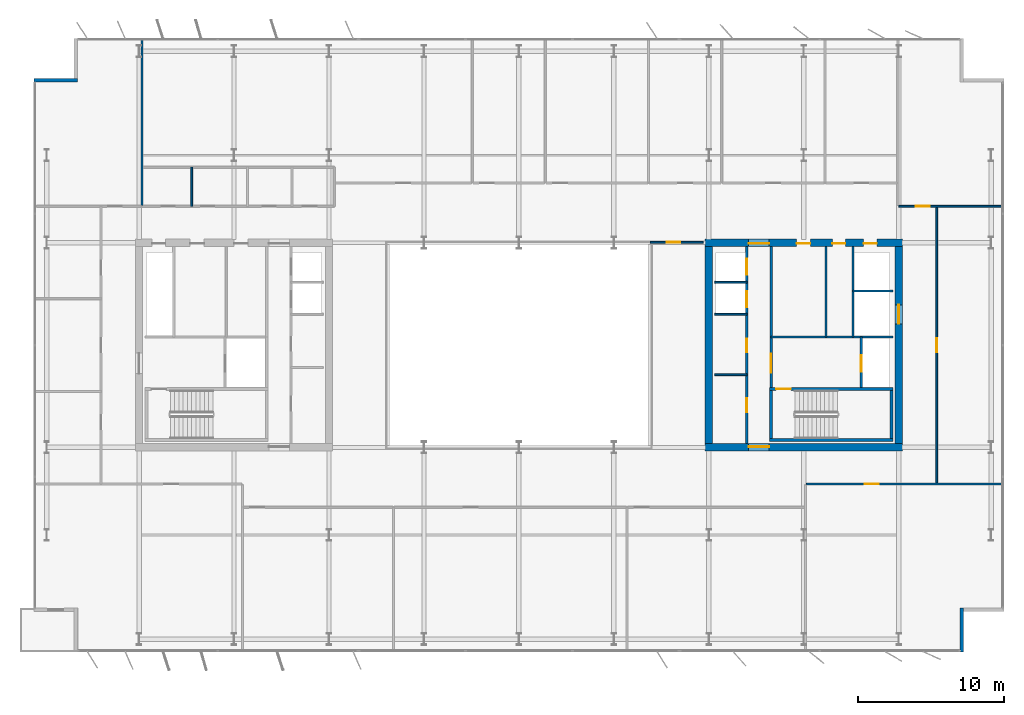
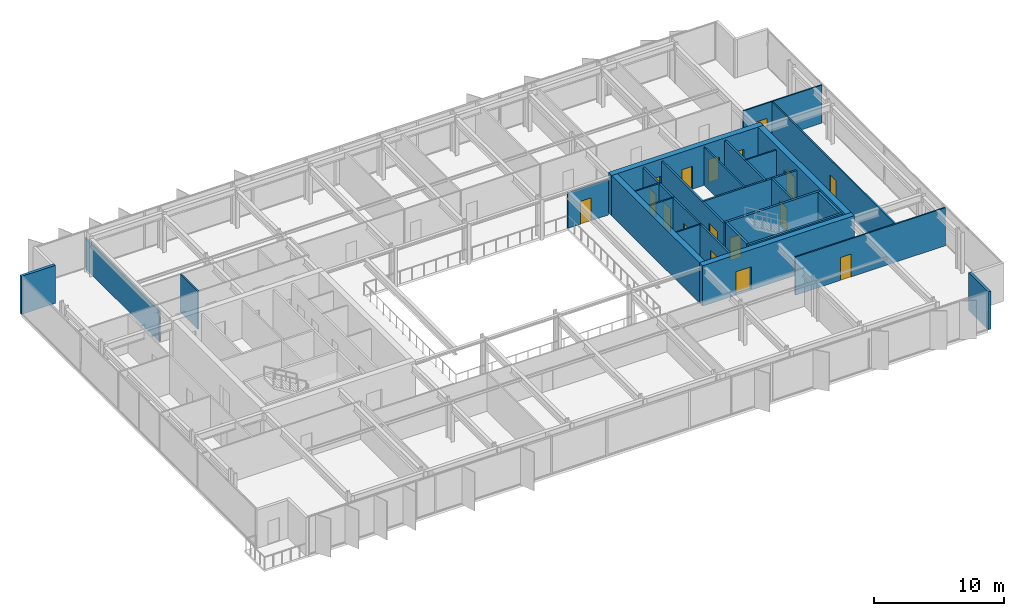
# One storey, part 18 of 23: 26 walls, 17 doors, 17 openings.
"""IFC4 building model written with IfcOpenShell, lengths in metres."""

from ifc_helpers import new_model, si_unit, direction, frame, frame_2d, origin, place, context, subcontext, project, spatial, rectangle, extrude, material, layer, layer_set, type_object, element, fill, save


model = new_model("IFC4")

# Units and contexts
model_context = context("Model", 3, precision=1e-05, world=origin(), true_north=direction((0.0, 1.0)))
body_context = subcontext(model_context, "Body", "Model", "MODEL_VIEW")
ifc_project = project(units=[si_unit("LENGTHUNIT", "METRE"), si_unit("AREAUNIT", "SQUARE_METRE"), si_unit("VOLUMEUNIT", "CUBIC_METRE"), si_unit("PLANEANGLEUNIT", "RADIAN"), si_unit("MASSUNIT", "GRAM", prefix="KILO")], contexts=[model_context])

# Site, building, storey
site_placement = place(None, origin())
site = spatial("IfcSite", under=ifc_project, at=site_placement, CompositionType="ELEMENT")
building_placement = place(site_placement, origin())
building = spatial("IfcBuilding", under=site, at=building_placement, Name="Putna Gate Headquarters", CompositionType="ELEMENT")
storey_placement = place(building_placement, frame((0.0, 0.0, 225.199951171875)))
storey = spatial("IfcBuildingStorey", under=building, at=storey_placement, Name="L56", CompositionType="ELEMENT", Elevation=225.199951171875)

# Wall, opening, door
ifc_material_1 = material(Name="Concrete C50/60", Category="concrete")
ifc_layer_1 = layer(ifc_material_1, 0.5)
ifc_layer_set_1 = layer_set([ifc_layer_1], Name="Concrete C50/60")
wall_type_1 = type_object("IfcWallType", Name="WALL-CORE-500", PredefinedType="SHEAR", material=ifc_layer_set_1)
wall_1_placement = place(storey_placement, frame((51.75, 19.0, 0.0), z_axis=(0.0, 0.0, 1.0), x_axis=(1.0, 0.0, 0.0)))
wall_1 = element("IfcWall", 1, at=wall_1_placement, inside=storey, type_object=wall_type_1, Name="L56 EC Split Core Shear Wall S", PredefinedType="SHEAR", context=body_context, shape_type="SweptSolid", body=[
    extrude(rectangle(XDim=13.5, YDim=0.5, at=frame_2d((6.75, 0.0))), origin(), (0.0, 0.0, 1.0), 3.800048828125),
])
opening_1_placement = place(wall_1_placement, frame((2.969970703125, 0.0, 0.0)))
opening_1 = element("IfcOpeningElement", 2, at=opening_1_placement, cuts=wall_1, Name="Opening FDD-140", PredefinedType="OPENING", context=body_context, shape_type="SweptSolid", body=[
    extrude(rectangle(XDim=1.39990234375, YDim=2.199951171875, at=frame_2d((0.699951171875, 1.10009765625))), frame((0.0, 0.260009765625, 0.0), z_axis=(0.0, -1.0, 0.0), x_axis=(1.0, 0.0, 0.0)), (0.0, 0.0, 1.0), 0.52001953125),
])
ifc_material_2 = material(Name="Double steel fire door", Category="steel")
door_type_1 = type_object("IfcDoorType", Name="DOOR-FIRE-DBL-1400", OperationType="DOUBLE_DOOR_SINGLE_SWING", PredefinedType="DOOR", material=ifc_material_2)
door_1_placement = place(opening_1_placement, origin())
door_1 = element("IfcDoor", 3, at=door_1_placement, inside=storey, type_object=door_type_1, Name="L56 East Lift Lobby South Door", OperationType="DOUBLE_DOOR_SINGLE_SWING", OverallHeight=2.199951171875, OverallWidth=1.39990234375, PredefinedType="DOOR", context=body_context, shape_type="SweptSolid", body=[
    extrude(rectangle(XDim=1.39990234375, YDim=2.199951171875, at=frame_2d((0.699951171875, 1.10009765625))), frame((0.0, 0.0751953125, 0.0), z_axis=(0.0, -1.0, 0.0), x_axis=(1.0, 0.0, 0.0)), (0.0, 0.0, 1.0), 0.050048828125),
])
fill(opening_1, door_1)

# Wall, openings, doors
wall_2_placement = place(storey_placement, frame((51.75, 33.0, 0.0), z_axis=(0.0, 0.0, 1.0), x_axis=(1.0, 0.0, 0.0)))
wall_2 = element("IfcWall", 4, at=wall_2_placement, inside=storey, type_object=wall_type_1, Name="L56 EC Split Core Shear Wall N", PredefinedType="SHEAR", context=body_context, shape_type="SweptSolid", body=[
    extrude(rectangle(XDim=13.5, YDim=0.5, at=frame_2d((6.75, 0.0))), origin(), (0.0, 0.0, 1.0), 3.800048828125),
])
opening_2_placement = place(wall_2_placement, frame((2.969970703125, 0.0, 0.0)))
opening_2 = element("IfcOpeningElement", 5, at=opening_2_placement, cuts=wall_2, Name="Opening FDD-140", PredefinedType="OPENING", context=body_context, shape_type="SweptSolid", body=[
    extrude(rectangle(XDim=1.39990234375, YDim=2.199951171875, at=frame_2d((0.699951171875, 1.10009765625))), frame((0.0, 0.260009765625, 0.0), z_axis=(0.0, -1.0, 0.0), x_axis=(1.0, 0.0, 0.0)), (0.0, 0.0, 1.0), 0.52001953125),
])
opening_3_placement = place(wall_2_placement, frame((10.85009765625, 0.0, 0.0)))
opening_3 = element("IfcOpeningElement", 6, at=opening_3_placement, cuts=wall_2, Name="Opening RD-90", PredefinedType="OPENING", context=body_context, shape_type="SweptSolid", body=[
    extrude(rectangle(XDim=0.89990234375, YDim=2.14990234375, at=frame_2d((0.449951171875, 1.074951171875))), frame((0.0, 0.260009765625, 0.0), z_axis=(0.0, -1.0, 0.0), x_axis=(1.0, 0.0, 0.0)), (0.0, 0.0, 1.0), 0.52001953125),
])
opening_4_placement = place(wall_2_placement, frame((6.25, 0.0, 0.0)))
opening_4 = element("IfcOpeningElement", 7, at=opening_4_placement, cuts=wall_2, Name="Opening IDS-95", PredefinedType="OPENING", context=body_context, shape_type="SweptSolid", body=[
    extrude(rectangle(XDim=0.949951171875, YDim=2.14990234375, at=frame_2d((0.47509765625, 1.074951171875))), frame((0.0, 0.260009765625, 0.0), z_axis=(0.0, -1.0, 0.0), x_axis=(1.0, 0.0, 0.0)), (0.0, 0.0, 1.0), 0.52001953125),
])
opening_5_placement = place(wall_2_placement, frame((8.699951171875, 0.0, 0.0)))
opening_5 = element("IfcOpeningElement", 8, at=opening_5_placement, cuts=wall_2, Name="Opening IDS-90", PredefinedType="OPENING", context=body_context, shape_type="SweptSolid", body=[
    extrude(rectangle(XDim=0.89990234375, YDim=2.14990234375, at=frame_2d((0.449951171875, 1.074951171875))), frame((0.0, 0.260009765625, 0.0), z_axis=(0.0, -1.0, 0.0), x_axis=(1.0, 0.0, 0.0)), (0.0, 0.0, 1.0), 0.52001953125),
])
door_2_placement = place(opening_2_placement, origin())
door_2 = element("IfcDoor", 9, at=door_2_placement, inside=storey, type_object=door_type_1, Name="L56 East Lift Lobby North Door", OperationType="DOUBLE_DOOR_SINGLE_SWING", OverallHeight=2.199951171875, OverallWidth=1.39990234375, PredefinedType="DOOR", context=body_context, shape_type="SweptSolid", body=[
    extrude(rectangle(XDim=1.39990234375, YDim=2.199951171875, at=frame_2d((0.699951171875, 1.10009765625))), frame((0.0, -0.02490234375, 0.0), z_axis=(0.0, -1.0, 0.0), x_axis=(1.0, 0.0, 0.0)), (0.0, 0.0, 1.0), 0.050048828125),
])
fill(opening_2, door_2)
ifc_material_3 = material(Name="Fire-rated utility door")
door_type_2 = type_object("IfcDoorType", Name="DOOR-INT-900", OperationType="NOTDEFINED", PredefinedType="DOOR", material=ifc_material_3)
door_3_placement = place(opening_5_placement, origin())
door_3 = element("IfcDoor", 10, at=door_3_placement, inside=storey, type_object=door_type_2, Name="L56 Electrical Plant Door", OperationType="SINGLE_SWING_LEFT", OverallHeight=2.14990234375, OverallWidth=0.89990234375, PredefinedType="DOOR", context=body_context, shape_type="SweptSolid", body=[
    extrude(rectangle(XDim=0.89990234375, YDim=2.14990234375, at=frame_2d((0.449951171875, 1.074951171875))), frame((0.0, -0.02490234375, 0.0), z_axis=(0.0, -1.0, 0.0), x_axis=(1.0, 0.0, 0.0)), (0.0, 0.0, 1.0), 0.050048828125),
])
fill(opening_5, door_3)
ifc_material_4 = material(Name="Fire-rated service timber door", Category="wood")
door_type_3 = type_object("IfcDoorType", Name="DOOR-INT-950", OperationType="NOTDEFINED", PredefinedType="DOOR", material=ifc_material_4)
door_4_placement = place(opening_4_placement, origin())
door_4 = element("IfcDoor", 11, at=door_4_placement, inside=storey, type_object=door_type_3, Name="L56 East Store Door", OperationType="SINGLE_SWING_RIGHT", OverallHeight=2.14990234375, OverallWidth=0.949951171875, PredefinedType="DOOR", context=body_context, shape_type="SweptSolid", body=[
    extrude(rectangle(XDim=0.949951171875, YDim=2.14990234375, at=frame_2d((0.47509765625, 1.074951171875))), frame((0.0, -0.02490234375, 0.0), z_axis=(0.0, -1.0, 0.0), x_axis=(1.0, 0.0, 0.0)), (0.0, 0.0, 1.0), 0.050048828125),
])
fill(opening_4, door_4)
ifc_material_5 = material(Name="Steel riser access fire door", Category="steel")
door_type_4 = type_object("IfcDoorType", Name="DOOR-RISER-900", OperationType="NOTDEFINED", PredefinedType="DOOR", material=ifc_material_5)
door_5_placement = place(opening_3_placement, origin())
door_5 = element("IfcDoor", 12, at=door_5_placement, inside=storey, type_object=door_type_4, Name="L56 East Riser Access Door", OperationType="SINGLE_SWING_LEFT", OverallHeight=2.14990234375, OverallWidth=0.89990234375, PredefinedType="DOOR", context=body_context, shape_type="SweptSolid", body=[
    extrude(rectangle(XDim=0.89990234375, YDim=2.14990234375, at=frame_2d((0.449951171875, 1.074951171875))), frame((0.0, -0.02490234375, 0.0), z_axis=(0.0, -1.0, 0.0), x_axis=(1.0, 0.0, 0.0)), (0.0, 0.0, 1.0), 0.050048828125),
])
fill(opening_3, door_5)

# Wall
wall_3_placement = place(storey_placement, frame((52.0, 19.25, 0.0), z_axis=(0.0, 0.0, 1.0), x_axis=(0.0, 1.0, 0.0)))
element("IfcWall", 13, at=wall_3_placement, inside=storey, type_object=wall_type_1, Name="L56 EC Split Core Shear Wall W", PredefinedType="SHEAR", context=body_context, shape_type="SweptSolid", body=[
    extrude(rectangle(XDim=13.5, YDim=0.5, at=frame_2d((6.75, 0.0))), origin(), (0.0, 0.0, 1.0), 3.800048828125),
])

# Wall, opening, door
wall_4_placement = place(storey_placement, frame((65.0, 19.25, 0.0), z_axis=(0.0, 0.0, 1.0), x_axis=(0.0, 1.0, 0.0)))
wall_4 = element("IfcWall", 14, at=wall_4_placement, inside=storey, type_object=wall_type_1, Name="L56 EC Split Core Shear Wall E", PredefinedType="SHEAR", context=body_context, shape_type="SweptSolid", body=[
    extrude(rectangle(XDim=13.5, YDim=0.5, at=frame_2d((6.75, 0.0))), origin(), (0.0, 0.0, 1.0), 3.800048828125),
])
opening_6_placement = place(wall_4_placement, frame((8.199951171875, 0.0, 0.0)))
opening_6 = element("IfcOpeningElement", 15, at=opening_6_placement, cuts=wall_4, Name="Opening LD-2", PredefinedType="OPENING", context=body_context, shape_type="SweptSolid", body=[
    extrude(rectangle(XDim=1.300048828125, YDim=2.199951171875, at=frame_2d((0.64990234375, 1.10009765625))), frame((0.0, 0.260009765625, 0.0), z_axis=(0.0, -1.0, 0.0), x_axis=(1.0, 0.0, 0.0)), (0.0, 0.0, 1.0), 0.52001953125),
])
ifc_material_6 = material(Name="Heavy-duty goods lift sliding landing door")
door_type_5 = type_object("IfcDoorType", Name="DOOR-LIFT-1300", OperationType="DOUBLE_DOOR_SLIDING", PredefinedType="DOOR", material=ifc_material_6)
door_6_placement = place(opening_6_placement, origin())
door_6 = element("IfcDoor", 16, at=door_6_placement, inside=storey, type_object=door_type_5, Name="L56 Goods Lift Landing Door LD-15", OperationType="DOUBLE_DOOR_SLIDING", OverallHeight=2.199951171875, OverallWidth=1.300048828125, PredefinedType="DOOR", context=body_context, shape_type="SweptSolid", body=[
    extrude(rectangle(XDim=1.300048828125, YDim=2.199951171875, at=frame_2d((0.64990234375, 1.10009765625))), frame((0.0, 0.02490234375, 0.0), z_axis=(0.0, -1.0, 0.0), x_axis=(1.0, 0.0, 0.0)), (0.0, 0.0, 1.0), 0.050048828125),
])
fill(opening_6, door_6)

# Walls
ifc_material_7 = material(Name="Precast concrete C40/50", Category="concrete")
ifc_layer_2 = layer(ifc_material_7, 0.239990234375)
ifc_layer_set_2 = layer_set([ifc_layer_2], Name="Precast concrete C40/50")
wall_type_2 = type_object("IfcWallType", Name="WALL-EXT-TERR-240", PredefinedType="STANDARD", material=ifc_layer_set_2)
for number, where, z_axis, x_axis, name in (
    (17, (5.800048828125, 44.1201171875, 0.0), (0.0, 0.0, 1.0), (1.0, 0.0, 0.0), "L56 Corner Notch Return Wall NW-H"),
    (18, (69.320068359375, 8.0, 0.0), (0.0, 0.0, 1.0), (0.0, -1.0, 0.0), "L56 Corner Notch Return Wall SE-V"),
):
    element("IfcWall", number, at=place(storey_placement, frame(where, z_axis=z_axis, x_axis=x_axis)), inside=storey, type_object=wall_type_2, Name=name, PredefinedType="STANDARD", context=body_context, shape_type="SweptSolid", body=[
        extrude(rectangle(XDim=3.0, YDim=0.239990234375, at=frame_2d((1.5, 0.0))), origin(), (0.0, 0.0, 1.0), 3.580078125),
    ])

# Wall, opening, door
ifc_material_8 = material(Name="Acoustic gypsum board on metal stud")
ifc_layer_3 = layer(ifc_material_8, 0.1201171875)
ifc_layer_set_3 = layer_set([ifc_layer_3], Name="Acoustic gypsum board on metal stud")
wall_type_3 = type_object("IfcWallType", Name="WALL-PART-120", PredefinedType="PARTITIONING", material=ifc_layer_set_3)
wall_5_placement = place(storey_placement, frame((48.0, 33.0400390625, 0.0), z_axis=(0.0, 0.0, 1.0), x_axis=(1.0, 0.0, 0.0)))
wall_5 = element("IfcWall", 19, at=wall_5_placement, inside=storey, type_object=wall_type_3, Name="L56 Interior Wall PART-L56-ATR-E-N", PredefinedType="PARTITIONING", context=body_context, shape_type="SweptSolid", body=[
    extrude(rectangle(XDim=3.60009765625, YDim=0.1201171875, at=frame_2d((1.800048828125, 0.0))), origin(), (0.0, 0.0, 1.0), 3.320068359375),
])
opening_7_placement = place(wall_5_placement, frame((1.10009765625, 0.0, 0.0)))
opening_7 = element("IfcOpeningElement", 20, at=opening_7_placement, cuts=wall_5, Name="Opening ID-95", PredefinedType="OPENING", context=body_context, shape_type="SweptSolid", body=[
    extrude(rectangle(XDim=0.949951171875, YDim=2.14990234375, at=frame_2d((0.47509765625, 1.074951171875))), frame((0.0, 0.070068359375, 0.0), z_axis=(0.0, -1.0, 0.0), x_axis=(1.0, 0.0, 0.0)), (0.0, 0.0, 1.0), 0.14013671875),
])
ifc_material_9 = material(Name="Veneered acoustic timber door", Category="wood")
door_type_6 = type_object("IfcDoorType", Name="DOOR-OFF-950", OperationType="NOTDEFINED", PredefinedType="DOOR", material=ifc_material_9)
door_7_placement = place(opening_7_placement, origin())
door_7 = element("IfcDoor", 21, at=door_7_placement, inside=storey, type_object=door_type_6, Name="L56 East Sky Atrium Lounge Door", OperationType="SINGLE_SWING_LEFT", OverallHeight=2.14990234375, OverallWidth=0.949951171875, PredefinedType="DOOR", context=body_context, shape_type="SweptSolid", body=[
    extrude(rectangle(XDim=0.949951171875, YDim=2.14990234375, at=frame_2d((0.47509765625, 1.074951171875))), frame((0.0, 0.02490234375, 0.0), z_axis=(0.0, -1.0, 0.0), x_axis=(1.0, 0.0, 0.0)), (0.0, 0.0, 1.0), 0.050048828125),
])
fill(opening_7, door_7)

# Walls
wall_6_placement = place(storey_placement, frame((13.199951171875, 35.56005859375, 0.0), z_axis=(0.0, 0.0, 1.0), x_axis=(0.0, 1.0, 0.0)))
element("IfcWall", 22, at=wall_6_placement, inside=storey, type_object=wall_type_3, Name="L56 Interior Wall PART-L56-NB-DIV-01", PredefinedType="PARTITIONING", context=body_context, shape_type="SweptSolid", body=[
    extrude(rectangle(XDim=11.419921875, YDim=0.1201171875, at=frame_2d((5.7099609375, 0.0))), origin(), (0.0, 0.0, 1.0), 2.880126953125),
])
ifc_material_10 = material(Name="Fire-rated shaftwall gypsum board on metal stud")
ifc_layer_4 = layer(ifc_material_10, 0.1201171875)
ifc_layer_set_4 = layer_set([ifc_layer_4], Name="Fire-rated shaftwall gypsum board on metal stud")
wall_type_4 = type_object("IfcWallType", Name="WALL-PART-120-EI120", PredefinedType="PARTITIONING", material=ifc_layer_set_4)
wall_7_placement = place(storey_placement, frame((52.39990234375, 30.31005859375, 0.0), z_axis=(0.0, 0.0, 1.0), x_axis=(1.0, 0.0, 0.0)))
element("IfcWall", 23, at=wall_7_placement, inside=storey, type_object=wall_type_4, Name="L56 Interior Wall CWINT-L56-EC-LF11-DIV", PredefinedType="PARTITIONING", context=body_context, shape_type="SweptSolid", body=[
    extrude(rectangle(XDim=2.2001953125, YDim=0.1201171875, at=frame_2d((1.10009765625, 0.0))), origin(), (0.0, 0.0, 1.0), 3.580078125),
])
wall_8_placement = place(storey_placement, frame((61.8701171875, 29.699951171875, 0.0), z_axis=(0.0, 0.0, 1.0), x_axis=(1.0, 0.0, 0.0)))
element("IfcWall", 24, at=wall_8_placement, inside=storey, type_object=wall_type_4, Name="L56 Interior Wall CWINT-L56-EC-LF15-N", PredefinedType="PARTITIONING", context=body_context, shape_type="SweptSolid", body=[
    extrude(rectangle(XDim=2.72998046875, YDim=0.1201171875, at=frame_2d((1.364990234375, 0.0))), origin(), (0.0, 0.0, 1.0), 3.580078125),
])
ifc_material_11 = material(Name="Fire-rated gypsum board on metal stud")
ifc_layer_5 = layer(ifc_material_11, 0.1201171875)
ifc_layer_set_5 = layer_set([ifc_layer_5], Name="Fire-rated gypsum board on metal stud")
wall_type_5 = type_object("IfcWallType", Name="WALL-PART-120-RATED", PredefinedType="PARTITIONING", material=ifc_layer_set_5)
for number, where, z_axis, x_axis, name in (
    (25, (52.39990234375, 23.969970703125, 0.0), (0.0, 0.0, 1.0), (1.0, 0.0, 0.0), "L56 Interior Wall CWINT-L56-EC-REUSE-DIV"),
    (26, (52.39990234375, 28.1201171875, 0.0), (0.0, 0.0, 1.0), (1.0, 0.0, 0.0), "L56 Interior Wall CWINT-L56-EC-LF08-DIV"),
):
    element("IfcWall", number, at=place(storey_placement, frame(where, z_axis=z_axis, x_axis=x_axis)), inside=storey, type_object=wall_type_5, Name=name, PredefinedType="PARTITIONING", context=body_context, shape_type="SweptSolid", body=[
        extrude(rectangle(XDim=2.2001953125, YDim=0.1201171875, at=frame_2d((1.10009765625, 0.0))), origin(), (0.0, 0.0, 1.0), 3.580078125),
    ])
wall_9_placement = place(storey_placement, frame((60.02001953125, 26.56005859375, 0.0), z_axis=(0.0, 0.0, 1.0), x_axis=(0.0, 1.0, 0.0)))
element("IfcWall", 27, at=wall_9_placement, inside=storey, type_object=wall_type_5, Name="L56 Interior Wall CWINT-L56-EC-K0-DIV", PredefinedType="PARTITIONING", context=body_context, shape_type="SweptSolid", body=[
    extrude(rectangle(XDim=6.18994140625, YDim=0.1201171875, at=frame_2d((3.094970703125, 0.0))), origin(), (0.0, 0.0, 1.0), 3.580078125),
])
wall_10_placement = place(storey_placement, frame((16.60009765625, 35.5, 0.0), z_axis=(0.0, 0.0, 1.0), x_axis=(0.0, 1.0, 0.0)))
element("IfcWall", 28, at=wall_10_placement, inside=storey, type_object=wall_type_5, Name="L56 Interior Wall PART-L56-SAN-DIV-1", PredefinedType="PARTITIONING", context=body_context, shape_type="SweptSolid", body=[
    extrude(rectangle(XDim=2.679931640625, YDim=0.1201171875, at=frame_2d((1.33984375, 0.0))), origin(), (0.0, 0.0, 1.0), 3.580078125),
])

# Wall, opening, door
wall_11_placement = place(storey_placement, frame((65.0126953125, 35.5, 0.0), z_axis=(0.0, 0.0, 1.0), x_axis=(1.0, 0.0, 0.0)))
wall_11 = element("IfcWall", 29, at=wall_11_placement, inside=storey, type_object=wall_type_5, Name="L56 Interior Wall PART-L56-NB-CW-08", PredefinedType="PARTITIONING", context=body_context, shape_type="SweptSolid", body=[
    extrude(rectangle(XDim=7.00732421875, YDim=0.1201171875, at=frame_2d((3.503662109375, 0.0))), origin(), (0.0, 0.0, 1.0), 3.580078125),
])
opening_8_placement = place(wall_11_placement, frame((1.1572265625, 0.0, 0.0)))
opening_8 = element("IfcOpeningElement", 30, at=opening_8_placement, cuts=wall_11, Name="Opening FD-95", PredefinedType="OPENING", context=body_context, shape_type="SweptSolid", body=[
    extrude(rectangle(XDim=0.949951171875, YDim=2.14990234375, at=frame_2d((0.47509765625, 1.074951171875))), frame((0.0, 0.070068359375, 0.0), z_axis=(0.0, -1.0, 0.0), x_axis=(1.0, 0.0, 0.0)), (0.0, 0.0, 1.0), 0.14013671875),
])
ifc_material_12 = material(Name="Acoustic timber fire door", Category="wood")
door_type_7 = type_object("IfcDoorType", Name="DOOR-FIRE-950", OperationType="NOTDEFINED", PredefinedType="DOOR", material=ifc_material_12)
door_8_placement = place(opening_8_placement, origin())
door_8 = element("IfcDoor", 31, at=door_8_placement, inside=storey, type_object=door_type_7, Name="L56 Cellular Office 5 Door", OperationType="SINGLE_SWING_LEFT", OverallHeight=2.14990234375, OverallWidth=0.949951171875, PredefinedType="DOOR", context=body_context, shape_type="SweptSolid", body=[
    extrude(rectangle(XDim=0.949951171875, YDim=2.14990234375, at=frame_2d((0.47509765625, 1.074951171875))), frame((0.0, 0.02490234375, 0.0), z_axis=(0.0, -1.0, 0.0), x_axis=(1.0, 0.0, 0.0)), (0.0, 0.0, 1.0), 0.050048828125),
])
fill(opening_8, door_8)

wall_12_placement = place(storey_placement, frame((58.673828125, 16.5, 0.0), z_axis=(0.0, 0.0, 1.0), x_axis=(1.0, 0.0, 0.0)))
wall_12 = element("IfcWall", 32, at=wall_12_placement, inside=storey, type_object=wall_type_5, Name="L56 Interior Wall PART-L56-SB-CW-05", PredefinedType="PARTITIONING", context=body_context, shape_type="SweptSolid", body=[
    extrude(rectangle(XDim=13.34619140625, YDim=0.1201171875, at=frame_2d((6.673095703125, 0.0))), origin(), (0.0, 0.0, 1.0), 3.580078125),
])
opening_9_placement = place(wall_12_placement, frame((3.988037109375, 0.0, 0.0)))
opening_9 = element("IfcOpeningElement", 33, at=opening_9_placement, cuts=wall_12, Name="Opening FD-95", PredefinedType="OPENING", context=body_context, shape_type="SweptSolid", body=[
    extrude(rectangle(XDim=0.949951171875, YDim=2.14990234375, at=frame_2d((0.47509765625, 1.074951171875))), frame((0.0, 0.070068359375, 0.0), z_axis=(0.0, -1.0, 0.0), x_axis=(1.0, 0.0, 0.0)), (0.0, 0.0, 1.0), 0.14013671875),
])
door_9_placement = place(opening_9_placement, origin())
door_9 = element("IfcDoor", 34, at=door_9_placement, inside=storey, type_object=door_type_7, Name="L56 Conference Meeting Room 2 Door", OperationType="SINGLE_SWING_RIGHT", OverallHeight=2.14990234375, OverallWidth=0.949951171875, PredefinedType="DOOR", context=body_context, shape_type="SweptSolid", body=[
    extrude(rectangle(XDim=0.949951171875, YDim=2.14990234375, at=frame_2d((0.47509765625, 1.074951171875))), frame((0.0, 0.02490234375, 0.0), z_axis=(0.0, -1.0, 0.0), x_axis=(1.0, 0.0, 0.0)), (0.0, 0.0, 1.0), 0.050048828125),
])
fill(opening_9, door_9)

wall_13_placement = place(storey_placement, frame((67.60009765625, 16.5, 0.0), z_axis=(0.0, 0.0, 1.0), x_axis=(0.0, 1.0, 0.0)))
wall_13 = element("IfcWall", 35, at=wall_13_placement, inside=storey, type_object=wall_type_5, Name="L56 Interior Wall PART-L56-EW-CW-1", PredefinedType="PARTITIONING", context=body_context, shape_type="SweptSolid", body=[
    extrude(rectangle(XDim=19.0, YDim=0.1201171875, at=frame_2d((9.5, 0.0))), origin(), (0.0, 0.0, 1.0), 3.580078125),
])
opening_10_placement = place(wall_13_placement, frame((9.02490234375, 0.0, 0.0)))
opening_10 = element("IfcOpeningElement", 36, at=opening_10_placement, cuts=wall_13, Name="Opening FD-95", PredefinedType="OPENING", context=body_context, shape_type="SweptSolid", body=[
    extrude(rectangle(XDim=0.949951171875, YDim=2.14990234375, at=frame_2d((0.47509765625, 1.074951171875))), frame((0.0, 0.070068359375, 0.0), z_axis=(0.0, -1.0, 0.0), x_axis=(1.0, 0.0, 0.0)), (0.0, 0.0, 1.0), 0.14013671875),
])
door_10_placement = place(opening_10_placement, origin())
door_10 = element("IfcDoor", 37, at=door_10_placement, inside=storey, type_object=door_type_7, Name="L56 East Advisory Office 1 Door", OperationType="SINGLE_SWING_RIGHT", OverallHeight=2.14990234375, OverallWidth=0.949951171875, PredefinedType="DOOR", context=body_context, shape_type="SweptSolid", body=[
    extrude(rectangle(XDim=0.949951171875, YDim=2.14990234375, at=frame_2d((0.47509765625, 1.074951171875))), frame((0.0, 0.02490234375, 0.0), z_axis=(0.0, -1.0, 0.0), x_axis=(1.0, 0.0, 0.0)), (0.0, 0.0, 1.0), 0.050048828125),
])
fill(opening_10, door_10)

# Wall, openings, doors
ifc_material_13 = material(Name="Concrete C40/50", Category="concrete")
ifc_layer_6 = layer(ifc_material_13, 0.159912109375)
ifc_layer_set_6 = layer_set([ifc_layer_6], Name="Concrete C40/50")
wall_type_6 = type_object("IfcWallType", Name="WALL-SHAFT-160", PredefinedType="STANDARD", material=ifc_layer_set_6)
wall_14_placement = place(storey_placement, frame((54.60009765625, 19.25, 0.0), z_axis=(0.0, 0.0, 1.0), x_axis=(0.0, 1.0, 0.0)))
wall_14 = element("IfcWall", 38, at=wall_14_placement, inside=storey, type_object=wall_type_6, Name="L56 Interior Wall CWINT-L56-EC-PL-WALL", PredefinedType="STANDARD", context=body_context, shape_type="SweptSolid", body=[
    extrude(rectangle(XDim=13.5, YDim=0.159912109375, at=frame_2d((6.75, 0.0))), origin(), (0.0, 0.0, 1.0), 3.580078125),
])
opening_11_placement = place(wall_14_placement, frame((2.14990234375, 0.0, 0.0)))
opening_11 = element("IfcOpeningElement", 39, at=opening_11_placement, cuts=wall_14, Name="Opening IDS-95", PredefinedType="OPENING", context=body_context, shape_type="SweptSolid", body=[
    extrude(rectangle(XDim=0.949951171875, YDim=2.14990234375, at=frame_2d((0.47509765625, 1.074951171875))), frame((0.0, 0.08984375, 0.0), z_axis=(0.0, -1.0, 0.0), x_axis=(1.0, 0.0, 0.0)), (0.0, 0.0, 1.0), 0.179931640625),
])
opening_12_placement = place(wall_14_placement, frame((6.25, 0.0, 0.0)))
opening_12 = element("IfcOpeningElement", 40, at=opening_12_placement, cuts=wall_14, Name="Opening IDS-95", PredefinedType="OPENING", context=body_context, shape_type="SweptSolid", body=[
    extrude(rectangle(XDim=0.949951171875, YDim=2.14990234375, at=frame_2d((0.47509765625, 1.074951171875))), frame((0.0, 0.08984375, 0.0), z_axis=(0.0, -1.0, 0.0), x_axis=(1.0, 0.0, 0.0)), (0.0, 0.0, 1.0), 0.179931640625),
])
opening_13_placement = place(wall_14_placement, frame((9.35009765625, 0.0, 0.0)))
opening_13 = element("IfcOpeningElement", 41, at=opening_13_placement, cuts=wall_14, Name="Opening LD-1", PredefinedType="OPENING", context=body_context, shape_type="SweptSolid", body=[
    extrude(rectangle(XDim=1.10009765625, YDim=2.199951171875, at=frame_2d((0.550048828125, 1.10009765625))), frame((0.0, 0.08984375, 0.0), z_axis=(0.0, -1.0, 0.0), x_axis=(1.0, 0.0, 0.0)), (0.0, 0.0, 1.0), 0.179931640625),
])
opening_14_placement = place(wall_14_placement, frame((11.550048828125, 0.0, 0.0)))
opening_14 = element("IfcOpeningElement", 42, at=opening_14_placement, cuts=wall_14, Name="Opening LD-1", PredefinedType="OPENING", context=body_context, shape_type="SweptSolid", body=[
    extrude(rectangle(XDim=1.10009765625, YDim=2.199951171875, at=frame_2d((0.550048828125, 1.10009765625))), frame((0.0, 0.08984375, 0.0), z_axis=(0.0, -1.0, 0.0), x_axis=(1.0, 0.0, 0.0)), (0.0, 0.0, 1.0), 0.179931640625),
])
door_11_placement = place(opening_11_placement, origin())
door_11 = element("IfcDoor", 43, at=door_11_placement, inside=storey, type_object=door_type_3, Name="L56 Executive Archive Door", OperationType="SINGLE_SWING_RIGHT", OverallHeight=2.14990234375, OverallWidth=0.949951171875, PredefinedType="DOOR", context=body_context, shape_type="SweptSolid", body=[
    extrude(rectangle(XDim=0.949951171875, YDim=2.14990234375, at=frame_2d((0.47509765625, 1.074951171875))), frame((0.0, 0.02490234375, 0.0), z_axis=(0.0, -1.0, 0.0), x_axis=(1.0, 0.0, 0.0)), (0.0, 0.0, 1.0), 0.050048828125),
])
fill(opening_11, door_11)
door_12_placement = place(opening_12_placement, origin())
door_12 = element("IfcDoor", 44, at=door_12_placement, inside=storey, type_object=door_type_3, Name="L56 Comms Distribution Door", OperationType="SINGLE_SWING_LEFT", OverallHeight=2.14990234375, OverallWidth=0.949951171875, PredefinedType="DOOR", context=body_context, shape_type="SweptSolid", body=[
    extrude(rectangle(XDim=0.949951171875, YDim=2.14990234375, at=frame_2d((0.47509765625, 1.074951171875))), frame((0.0, 0.02490234375, 0.0), z_axis=(0.0, -1.0, 0.0), x_axis=(1.0, 0.0, 0.0)), (0.0, 0.0, 1.0), 0.050048828125),
])
fill(opening_12, door_12)
ifc_material_14 = material(Name="Brushed bronze stainless lift landing door")
door_type_8 = type_object("IfcDoorType", Name="DOOR-LIFT-1100", OperationType="DOUBLE_DOOR_SLIDING", PredefinedType="DOOR", material=ifc_material_14)
door_13_placement = place(opening_13_placement, origin())
door_13 = element("IfcDoor", 45, at=door_13_placement, inside=storey, type_object=door_type_8, Name="L56 Lift Landing Door LD-11", OperationType="DOUBLE_DOOR_SLIDING", OverallHeight=2.199951171875, OverallWidth=1.10009765625, PredefinedType="DOOR", context=body_context, shape_type="SweptSolid", body=[
    extrude(rectangle(XDim=1.10009765625, YDim=2.199951171875, at=frame_2d((0.550048828125, 1.10009765625))), frame((0.0, 0.02490234375, 0.0), z_axis=(0.0, -1.0, 0.0), x_axis=(1.0, 0.0, 0.0)), (0.0, 0.0, 1.0), 0.050048828125),
])
fill(opening_13, door_13)
door_14_placement = place(opening_14_placement, origin())
door_14 = element("IfcDoor", 46, at=door_14_placement, inside=storey, type_object=door_type_8, Name="L56 Lift Landing Door LD-12", OperationType="DOUBLE_DOOR_SLIDING", OverallHeight=2.199951171875, OverallWidth=1.10009765625, PredefinedType="DOOR", context=body_context, shape_type="SweptSolid", body=[
    extrude(rectangle(XDim=1.10009765625, YDim=2.199951171875, at=frame_2d((0.550048828125, 1.10009765625))), frame((0.0, 0.02490234375, 0.0), z_axis=(0.0, -1.0, 0.0), x_axis=(1.0, 0.0, 0.0)), (0.0, 0.0, 1.0), 0.050048828125),
])
fill(opening_14, door_14)

# Wall, opening, door
wall_15_placement = place(storey_placement, frame((56.260009765625, 23.090087890625, 0.0), z_axis=(0.0, 0.0, 1.0), x_axis=(0.0, 1.0, 0.0)))
wall_15 = element("IfcWall", 47, at=wall_15_placement, inside=storey, type_object=wall_type_6, Name="L56 Interior Wall CWINT-L56-EC-LOB-E", PredefinedType="STANDARD", context=body_context, shape_type="SweptSolid", body=[
    extrude(rectangle(XDim=9.659912109375, YDim=0.159912109375, at=frame_2d((4.830078125, 0.0))), origin(), (0.0, 0.0, 1.0), 3.580078125),
])
opening_15_placement = place(wall_15_placement, frame((1.010009765625, 0.0, 0.0)))
opening_15 = element("IfcOpeningElement", 48, at=opening_15_placement, cuts=wall_15, Name="Opening FDD-130", PredefinedType="OPENING", context=body_context, shape_type="SweptSolid", body=[
    extrude(rectangle(XDim=1.300048828125, YDim=2.199951171875, at=frame_2d((0.64990234375, 1.10009765625))), frame((0.0, 0.08984375, 0.0), z_axis=(0.0, -1.0, 0.0), x_axis=(1.0, 0.0, 0.0)), (0.0, 0.0, 1.0), 0.179931640625),
])
ifc_material_15 = material(Name="Double steel lobby fire door", Category="steel")
door_type_9 = type_object("IfcDoorType", Name="DOOR-FIRE-DBL-1300", OperationType="DOUBLE_DOOR_SINGLE_SWING", PredefinedType="DOOR", material=ifc_material_15)
door_15_placement = place(opening_15_placement, origin())
door_15 = element("IfcDoor", 49, at=door_15_placement, inside=storey, type_object=door_type_9, Name="L56 East Firefighting Lobby Door", OperationType="DOUBLE_DOOR_SINGLE_SWING", OverallHeight=2.199951171875, OverallWidth=1.300048828125, PredefinedType="DOOR", context=body_context, shape_type="SweptSolid", body=[
    extrude(rectangle(XDim=1.300048828125, YDim=2.199951171875, at=frame_2d((0.64990234375, 1.10009765625))), frame((0.0, 0.02490234375, 0.0), z_axis=(0.0, -1.0, 0.0), x_axis=(1.0, 0.0, 0.0)), (0.0, 0.0, 1.0), 0.050048828125),
])
fill(opening_15, door_15)

wall_16_placement = place(storey_placement, frame((62.429931640625, 23.090087890625, 0.0), z_axis=(0.0, 0.0, 1.0), x_axis=(0.0, 1.0, 0.0)))
wall_16 = element("IfcWall", 50, at=wall_16_placement, inside=storey, type_object=wall_type_6, Name="L56 Interior Wall CWINT-L56-EC-LF14-W", PredefinedType="STANDARD", context=body_context, shape_type="SweptSolid", body=[
    extrude(rectangle(XDim=3.469970703125, YDim=0.159912109375, at=frame_2d((1.73486328125, 0.0))), origin(), (0.0, 0.0, 1.0), 3.580078125),
])
opening_16_placement = place(wall_16_placement, frame((1.10009765625, 0.0, 0.0)))
opening_16 = element("IfcOpeningElement", 51, at=opening_16_placement, cuts=wall_16, Name="Opening LD-1", PredefinedType="OPENING", context=body_context, shape_type="SweptSolid", body=[
    extrude(rectangle(XDim=1.10009765625, YDim=2.199951171875, at=frame_2d((0.550048828125, 1.10009765625))), frame((0.0, 0.08984375, 0.0), z_axis=(0.0, -1.0, 0.0), x_axis=(1.0, 0.0, 0.0)), (0.0, 0.0, 1.0), 0.179931640625),
])
door_16_placement = place(opening_16_placement, origin())
door_16 = element("IfcDoor", 52, at=door_16_placement, inside=storey, type_object=door_type_8, Name="L56 Lift Landing Door LD-14", OperationType="DOUBLE_DOOR_SLIDING", OverallHeight=2.199951171875, OverallWidth=1.10009765625, PredefinedType="DOOR", context=body_context, shape_type="SweptSolid", body=[
    extrude(rectangle(XDim=1.10009765625, YDim=2.199951171875, at=frame_2d((0.550048828125, 1.10009765625))), frame((0.0, 0.02490234375, 0.0), z_axis=(0.0, -1.0, 0.0), x_axis=(1.0, 0.0, 0.0)), (0.0, 0.0, 1.0), 0.050048828125),
])
fill(opening_16, door_16)

# Walls
wall_17_placement = place(storey_placement, frame((56.260009765625, 26.56005859375, 0.0), z_axis=(0.0, 0.0, 1.0), x_axis=(1.0, 0.0, 0.0)))
element("IfcWall", 53, at=wall_17_placement, inside=storey, type_object=wall_type_6, Name="L56 Interior Wall CWINT-L56-EC-FFL-N", PredefinedType="STANDARD", context=body_context, shape_type="SweptSolid", body=[
    extrude(rectangle(XDim=8.340087890625, YDim=0.159912109375, at=frame_2d((4.169921875, 0.0))), origin(), (0.0, 0.0, 1.0), 3.580078125),
])
wall_18_placement = place(storey_placement, frame((61.8701171875, 26.56005859375, 0.0), z_axis=(0.0, 0.0, 1.0), x_axis=(0.0, 1.0, 0.0)))
element("IfcWall", 54, at=wall_18_placement, inside=storey, type_object=wall_type_6, Name="L56 Interior Wall CWINT-L56-EC-LF15-W", PredefinedType="STANDARD", context=body_context, shape_type="SweptSolid", body=[
    extrude(rectangle(XDim=6.18994140625, YDim=0.159912109375, at=frame_2d((3.094970703125, 0.0))), origin(), (0.0, 0.0, 1.0), 3.580078125),
])
ifc_layer_7 = layer(ifc_material_13, 0.199951171875)
ifc_layer_set_7 = layer_set([ifc_layer_7], Name="Concrete C40/50")
wall_type_7 = type_object("IfcWallType", Name="WALL-SHAFT-RC200", PredefinedType="SHEAR", material=ifc_layer_set_7)
wall_19_placement = place(storey_placement, frame((56.159912109375, 19.510009765625, 0.0), z_axis=(0.0, 0.0, 1.0), x_axis=(1.0, 0.0, 0.0)))
element("IfcWall", 55, at=wall_19_placement, inside=storey, type_object=wall_type_7, Name="L56 Stair ST2 Structural Shaft Wall S", PredefinedType="SHEAR", context=body_context, shape_type="SweptSolid", body=[
    extrude(rectangle(XDim=8.43017578125, YDim=0.199951171875, at=frame_2d((4.215087890625, 0.0))), origin(), (0.0, 0.0, 1.0), 3.800048828125),
])

# Wall, opening, door
wall_20_placement = place(storey_placement, frame((56.159912109375, 22.989990234375, 0.0), z_axis=(0.0, 0.0, 1.0), x_axis=(1.0, 0.0, 0.0)))
wall_20 = element("IfcWall", 56, at=wall_20_placement, inside=storey, type_object=wall_type_7, Name="L56 Stair ST2 Structural Shaft Wall N", PredefinedType="SHEAR", context=body_context, shape_type="SweptSolid", body=[
    extrude(rectangle(XDim=8.43017578125, YDim=0.199951171875, at=frame_2d((4.215087890625, 0.0))), origin(), (0.0, 0.0, 1.0), 3.800048828125),
])
opening_17_placement = place(wall_20_placement, frame((0.449951171875, 0.0, 0.0)))
opening_17 = element("IfcOpeningElement", 57, at=opening_17_placement, cuts=wall_20, Name="Opening FD-100", PredefinedType="OPENING", context=body_context, shape_type="SweptSolid", body=[
    extrude(rectangle(XDim=1.0, YDim=2.14990234375, at=frame_2d((0.5, 1.074951171875))), frame((0.0, 0.10986328125, 0.0), z_axis=(0.0, -1.0, 0.0), x_axis=(1.0, 0.0, 0.0)), (0.0, 0.0, 1.0), 0.219970703125),
])
ifc_material_16 = material(Name="Powder-coated steel fire door", Category="steel")
door_type_10 = type_object("IfcDoorType", Name="DOOR-FIRE-1000", OperationType="NOTDEFINED", PredefinedType="DOOR", material=ifc_material_16)
door_17_placement = place(opening_17_placement, origin())
door_17 = element("IfcDoor", 58, at=door_17_placement, inside=storey, type_object=door_type_10, Name="L56 Stair ST2 Fire Door", OperationType="SINGLE_SWING_RIGHT", OverallHeight=2.14990234375, OverallWidth=1.0, PredefinedType="DOOR", context=body_context, shape_type="SweptSolid", body=[
    extrude(rectangle(XDim=1.0, YDim=2.14990234375, at=frame_2d((0.5, 1.074951171875))), frame((0.0, 0.02490234375, 0.0), z_axis=(0.0, -1.0, 0.0), x_axis=(1.0, 0.0, 0.0)), (0.0, 0.0, 1.0), 0.050048828125),
])
fill(opening_17, door_17)

# Walls
for number, where, z_axis, x_axis, name in (
    (59, (56.260009765625, 19.610107421875, 0.0), (0.0, 0.0, 1.0), (0.0, 1.0, 0.0), "L56 Stair ST2 Structural Shaft Wall W"),
    (60, (64.489990234375, 19.610107421875, 0.0), (0.0, 0.0, 1.0), (0.0, 1.0, 0.0), "L56 Stair ST2 Structural Shaft Wall E"),
):
    element("IfcWall", number, at=place(storey_placement, frame(where, z_axis=z_axis, x_axis=x_axis)), inside=storey, type_object=wall_type_7, Name=name, PredefinedType="SHEAR", context=body_context, shape_type="SweptSolid", body=[
        extrude(rectangle(XDim=3.27978515625, YDim=0.199951171875, at=frame_2d((1.639892578125, 0.0))), origin(), (0.0, 0.0, 1.0), 3.800048828125),
    ])

save(model, "model.ifc")
